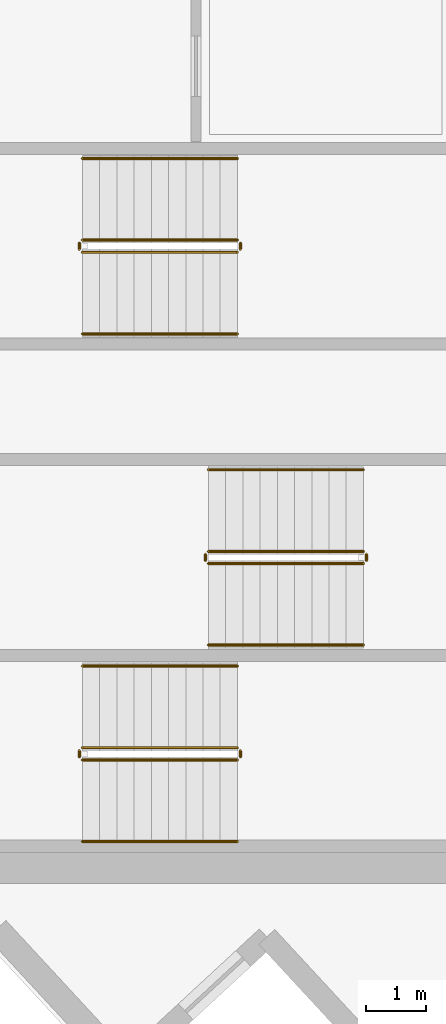
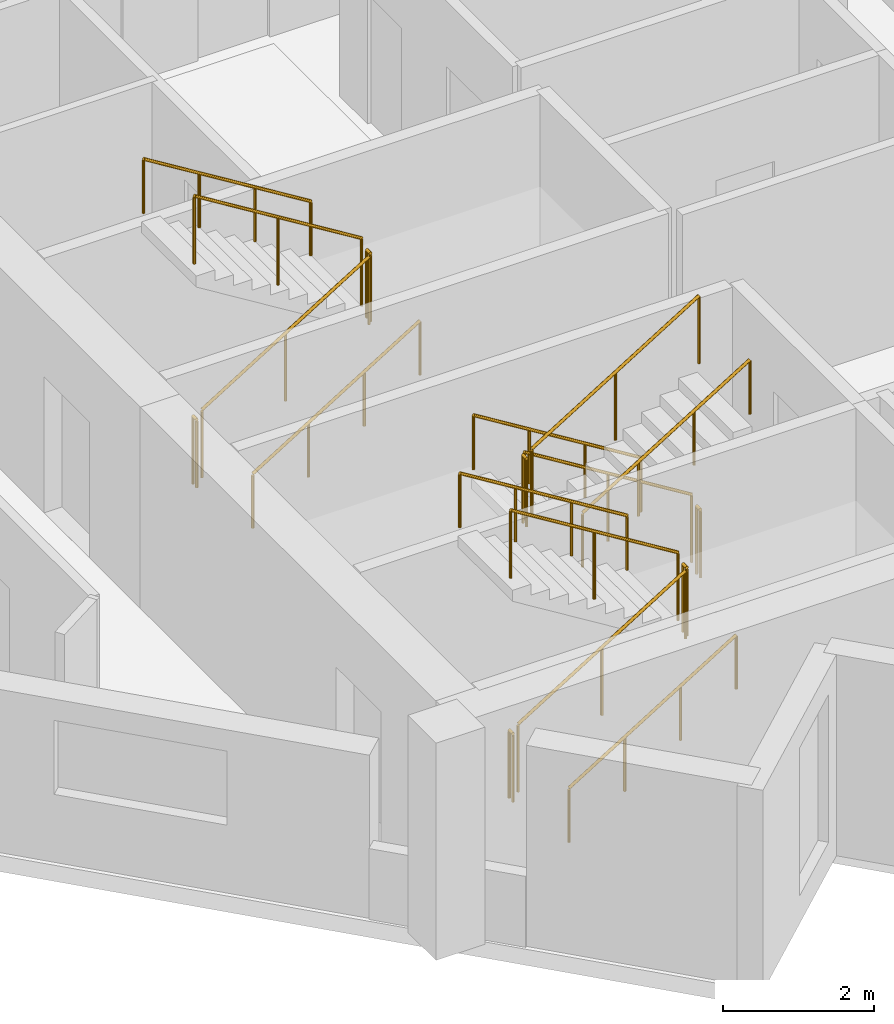
# One storey, part 12 of 13: 18 railings.
"""IFC4 building model written with IfcOpenShell, lengths in metres."""

import ifcopenshell
import ifcopenshell.guid

model = None  # the IFC model being written
_history = None  # IfcOwnerHistory: only IFC2X3 demands one
_inside = {}  # id of a spatial element -> (the spatial element, [elements in it])
_under = {}  # id of a project, library or spatial element -> (it, [spatial elements below it])
_declared = {}  # id of a project -> (the project, [libraries it declares])
_typed = {}  # id of a type object -> (the type object, [elements of that type])
_made_of = {}  # id of a material, layer set ... -> (it, [elements and type objects made of it])


def new_model(schema):
    """Start an empty IFC model of exactly this schema.

    Asked for "IFC4X3", IfcOpenShell would pick the latest addendum, in which some entities
    have other attributes; the version numbers below select the first issue.
    IFC2X3 requires an IfcOwnerHistory on every rooted entity: one is made here for all.
    """
    global model, _history
    if schema == "IFC4X3":
        model = ifcopenshell.file(schema_version=(4, 3, 0, 0))
    else:
        model = ifcopenshell.file(schema=schema)
    _inside.clear()
    _under.clear()
    _declared.clear()
    _typed.clear()
    _made_of.clear()
    _history = None
    if model.schema == "IFC2X3":
        org = make("IfcOrganization", Name="unknown")
        user = make(
            "IfcPersonAndOrganization",
            ThePerson=make("IfcPerson", FamilyName="unknown"),
            TheOrganization=org,
        )
        app = make(
            "IfcApplication",
            ApplicationDeveloper=org,
            Version="unknown",
            ApplicationFullName="unknown",
            ApplicationIdentifier="unknown",
        )
        _history = make(
            "IfcOwnerHistory",
            OwningUser=user,
            OwningApplication=app,
            ChangeAction="ADDED",
            CreationDate=0,
        )
    return model


def make(cls, **values):
    """One entity of the class cls with the attributes given. An attribute that is None is left unset."""
    return model.create_entity(
        cls, **{name: value for name, value in values.items() if value is not None}
    )


def rooted(cls, **values):
    """An entity with a GlobalId (a new one), such as an element, a storey or a relation."""
    return make(cls, GlobalId=ifcopenshell.guid.new(), OwnerHistory=_history, **values)


def si_unit(unit_type, name, prefix=None):
    """IfcSIUnit, for example si_unit("LENGTHUNIT", "METRE", prefix="MILLI")."""
    return make("IfcSIUnit", UnitType=unit_type, Prefix=prefix, Name=name)


def assignment(units):
    """IfcUnitAssignment: the units of a project."""
    return None if units is None else make("IfcUnitAssignment", Units=units)


def point(xyz):
    """IfcCartesianPoint."""
    return None if xyz is None else make("IfcCartesianPoint", Coordinates=xyz)


def direction(xyz):
    """IfcDirection."""
    return None if xyz is None else make("IfcDirection", DirectionRatios=xyz)


def frame(location, z_axis=None, x_axis=None):
    """IfcAxis2Placement3D, a coordinate frame: its origin and axes. An axis left out is left unset."""
    return make(
        "IfcAxis2Placement3D",
        Location=point(location),
        Axis=direction(z_axis),
        RefDirection=direction(x_axis),
    )


def frame_2d(location, x_axis=None):
    """IfcAxis2Placement2D, a coordinate frame in the plane: its origin and x axis."""
    return make(
        "IfcAxis2Placement2D", Location=point(location), RefDirection=direction(x_axis)
    )


def origin():
    """The frame at (0, 0, 0) with its axes left unset."""
    return frame((0.0, 0.0, 0.0))


def origin_2d():
    """The frame at (0, 0) in the plane with its x axis left unset."""
    return frame_2d((0.0, 0.0))


def place(relative_to, where):
    """IfcLocalPlacement: puts the frame where relative to a parent placement (None: the world)."""
    return make(
        "IfcLocalPlacement", PlacementRelTo=relative_to, RelativePlacement=where
    )


def context(
    kind, dimensions, precision=None, world=None, true_north=None, identifier=None
):
    """IfcGeometricRepresentationContext, for example the 3D "Model" context."""
    return make(
        "IfcGeometricRepresentationContext",
        ContextIdentifier=identifier,
        ContextType=kind,
        CoordinateSpaceDimension=dimensions,
        Precision=precision,
        WorldCoordinateSystem=world,
        TrueNorth=true_north,
    )


def subcontext(parent, identifier, kind, view, scale=None):
    """IfcGeometricRepresentationSubContext, for example "Body" below "Model"."""
    return make(
        "IfcGeometricRepresentationSubContext",
        ContextIdentifier=identifier,
        ContextType=kind,
        ParentContext=parent,
        TargetScale=scale,
        TargetView=view,
    )


def project(units=None, contexts=None):
    """IfcProject with its units and contexts."""
    return rooted(
        "IfcProject",
        Name="project",
        RepresentationContexts=contexts,
        UnitsInContext=assignment(units),
    )


def spatial(cls, under=None, at=None, **own):
    """A site, building, storey or space (cls), placed at a placement, below another one or the project."""
    s = rooted(cls, ObjectPlacement=at, **own)
    if under is not None:
        _under.setdefault(under.id(), (under, []))[1].append(s)
    return s


def profile(cls, at=None, kind="AREA", **sizes):
    """A parametric profile (cls). Its sizes go by their IFC names, for example OverallWidth=200.0."""
    return make(cls, ProfileType=kind, Position=at, **sizes)


def circle(**sizes):
    """IfcCircleProfileDef."""
    return profile("IfcCircleProfileDef", **sizes)


def extrude(swept, where, along, depth):
    """IfcExtrudedAreaSolid: the profile swept, set in the frame where, extruded along a direction by depth."""
    return make(
        "IfcExtrudedAreaSolid",
        SweptArea=swept,
        Position=where,
        ExtrudedDirection=direction(along),
        Depth=depth,
    )


def shape(context_of_items, identifier, shape_type, items):
    """IfcShapeRepresentation: the items that make up one representation, for example the "Body"."""
    return make(
        "IfcShapeRepresentation",
        ContextOfItems=context_of_items,
        RepresentationIdentifier=identifier,
        RepresentationType=shape_type,
        Items=items,
    )


def material(Name=None, Category=None):
    """IfcMaterial."""
    return make("IfcMaterial", Name=Name, Category=Category)


def made_of(thing, what):
    """Note that an element or type object is made of a material, layer set ...; save() writes the relation."""
    if what is not None:
        _made_of.setdefault(what.id(), (what, []))[1].append(thing)
    return thing


def type_object(cls, material=None, **own):
    """A type object (cls), such as IfcWallType, which elements share."""
    return made_of(rooted(cls, **own), material)


def element(
    cls,
    number,
    at=None,
    inside=None,
    cuts=None,
    type_object=None,
    material=None,
    context=None,
    identifier="Body",
    shape_type=None,
    held_by="IfcProductDefinitionShape",
    body=None,
    shapes=None,
    **own,
):
    """One element of the class cls, such as IfcWall. Its Tag is "e" and its number.

    at: its placement. inside: the storey or other place that contains it. cuts: it is an
    opening in that element (IfcRelVoidsElement). A single representation is given by context,
    identifier, shape_type and body (its items); several are given by shapes. held_by: the class
    of the entity that holds the representations. save() writes the other relations.
    """
    e = rooted(cls, Tag="e%d" % number, ObjectPlacement=at, **own)
    if body is not None:
        shapes = [shape(context, identifier, shape_type, body)]
    if shapes is not None:
        e.Representation = make(held_by, Representations=shapes)
    if inside is not None:
        _inside.setdefault(inside.id(), (inside, []))[1].append(e)
    if cuts is not None:
        rooted(
            "IfcRelVoidsElement", RelatingBuildingElement=cuts, RelatedOpeningElement=e
        )
    if type_object is not None:
        _typed.setdefault(type_object.id(), (type_object, []))[1].append(e)
    return made_of(e, material)


def aggregate(whole, parts):
    """IfcRelAggregates: a whole, such as a stair, and the parts it consists of."""
    return rooted("IfcRelAggregates", RelatingObject=whole, RelatedObjects=parts)


def save(model, path):
    """Write the relations noted so far, then the file.

    IfcRelAggregates (storeys below a building ...), IfcRelContainedInSpatialStructure (elements
    in a storey), IfcRelDefinesByType, IfcRelAssociatesMaterial and IfcRelDeclares: one each for
    every whole, place, type object, material and project.
    """
    for whole, parts in _under.values():
        aggregate(whole, parts)
    for where, things in _inside.values():
        rooted(
            "IfcRelContainedInSpatialStructure",
            RelatedElements=things,
            RelatingStructure=where,
        )
    for kind, things in _typed.values():
        rooted("IfcRelDefinesByType", RelatedObjects=things, RelatingType=kind)
    for what, things in _made_of.values():
        rooted("IfcRelAssociatesMaterial", RelatedObjects=things, RelatingMaterial=what)
    for by, libraries in _declared.values():
        rooted("IfcRelDeclares", RelatingContext=by, RelatedDefinitions=libraries)
    model.write(path)


model = new_model("IFC4")

# Units and contexts
model_context = context("Model", 3, precision=1e-05, world=origin(), true_north=direction((0.0, 1.0)))
body_context = subcontext(model_context, "Body", "Model", "MODEL_VIEW")
ifc_project = project(units=[si_unit("LENGTHUNIT", "METRE"), si_unit("AREAUNIT", "SQUARE_METRE"), si_unit("VOLUMEUNIT", "CUBIC_METRE"), si_unit("PLANEANGLEUNIT", "RADIAN"), si_unit("MASSUNIT", "GRAM", prefix="KILO")], contexts=[model_context])

# Site, building, storey
site_placement = place(None, origin())
site = spatial("IfcSite", under=ifc_project, at=site_placement, CompositionType="ELEMENT")
building_placement = place(site_placement, origin())
building = spatial("IfcBuilding", under=site, at=building_placement, Name="Narakoshi Arena Tower", CompositionType="ELEMENT")
storey_placement = place(building_placement, frame((0.0, 0.0, 264.260009765625)))
storey = spatial("IfcBuildingStorey", under=building, at=storey_placement, Name="L72", CompositionType="ELEMENT", Elevation=264.260009765625)

# Railings
ifc_material_1 = material(Name="Clear low-iron laminated structural glass", Category="glass")
railing_type_1 = type_object("IfcRailingType", Name="RL-BAL-1100", PredefinedType="BALUSTRADE", material=ifc_material_1)
railing_1_placement = place(storey_placement, frame((74.39990234375, 36.949951171875, 0.176025390625)))
element("IfcRailing", 1, at=railing_1_placement, inside=storey, type_object=railing_type_1, Name="L72 ST1 stair guard 1", PredefinedType="BALUSTRADE", context=body_context, shape_type="SweptSolid", body=[
    extrude(circle(Radius=0.02392578125, at=origin_2d()), frame((0.0, 0.0, 1.09619140625), z_axis=(0.850856559306, 0.0, 0.525398054323), x_axis=(0.0, 1.0, 0.0)), (0.0, 0.0, 1.0), 3.014892578125),
    extrude(circle(Radius=0.02099609375, at=origin_2d()), origin(), (0.0, 0.0, 1.0), 1.072021484375),
    extrude(circle(Radius=0.02099609375, at=origin_2d()), frame((1.28271484375, 0.0, 0.7919921875)), (0.0, 0.0, 1.0), 1.072021484375),
    extrude(circle(Radius=0.02099609375, at=origin_2d()), frame((2.565185546875, 0.0, 1.583984375)), (0.0, 0.0, 1.0), 1.072021484375),
])
railing_2_placement = place(storey_placement, frame((77.014892578125, 37.0, 1.760009765625)))
element("IfcRailing", 2, at=railing_2_placement, inside=storey, type_object=railing_type_1, Name="L72 ST1 stair guard 2", PredefinedType="BALUSTRADE", context=body_context, shape_type="SweptSolid", body=[
    extrude(circle(Radius=0.02392578125, at=origin_2d()), frame((0.0, 0.0, 1.09619140625), z_axis=(0.0, 1.0, 0.0), x_axis=(-1.0, 0.0, 0.0)), (0.0, 0.0, 1.0), 0.10009765625),
    extrude(circle(Radius=0.02099609375, at=origin_2d()), origin(), (0.0, 0.0, 1.0), 1.072021484375),
    extrude(circle(Radius=0.02099609375, at=origin_2d()), frame((0.0, 0.10009765625, 0.0)), (0.0, 0.0, 1.0), 1.072021484375),
])
railing_3_placement = place(storey_placement, frame((76.965087890625, 37.14990234375, 1.93603515625)))
element("IfcRailing", 3, at=railing_3_placement, inside=storey, type_object=railing_type_1, Name="L72 ST1 stair guard 3", PredefinedType="BALUSTRADE", context=body_context, shape_type="SweptSolid", body=[
    extrude(circle(Radius=0.02392578125, at=origin_2d()), frame((0.0, 0.0, 1.09619140625), z_axis=(-0.850856559306, 0.0, 0.525398054323), x_axis=(0.0, -1.0, 0.0)), (0.0, 0.0, 1.0), 3.014892578125),
    extrude(circle(Radius=0.02099609375, at=origin_2d()), origin(), (0.0, 0.0, 1.0), 1.072021484375),
    extrude(circle(Radius=0.02099609375, at=origin_2d()), frame((-1.28271484375, 0.0, 0.7919921875)), (0.0, 0.0, 1.0), 1.072021484375),
    extrude(circle(Radius=0.02099609375, at=origin_2d()), frame((-2.565185546875, 0.0, 1.583984375)), (0.0, 0.0, 1.0), 1.072021484375),
])
railing_4_placement = place(storey_placement, frame((74.35009765625, 37.0, 0.0)))
element("IfcRailing", 4, at=railing_4_placement, inside=storey, type_object=railing_type_1, Name="L72 ST1 stair guard 4", PredefinedType="BALUSTRADE", context=body_context, shape_type="SweptSolid", body=[
    extrude(circle(Radius=0.02392578125, at=origin_2d()), frame((0.0, 0.0, 1.09619140625), z_axis=(0.0, 1.0, 0.0), x_axis=(-1.0, 0.0, 0.0)), (0.0, 0.0, 1.0), 0.10009765625),
    extrude(circle(Radius=0.02099609375, at=origin_2d()), origin(), (0.0, 0.0, 1.0), 1.072021484375),
    extrude(circle(Radius=0.02099609375, at=origin_2d()), frame((0.0, 0.10009765625, 0.0)), (0.0, 0.0, 1.0), 1.072021484375),
])
railing_5_placement = place(storey_placement, frame((79.050048828125, 40.39990234375, 0.176025390625)))
element("IfcRailing", 5, at=railing_5_placement, inside=storey, type_object=railing_type_1, Name="L72 ST2 stair guard 1", PredefinedType="BALUSTRADE", context=body_context, shape_type="SweptSolid", body=[
    extrude(circle(Radius=0.02392578125, at=origin_2d()), frame((0.0, 0.0, 1.09619140625), z_axis=(-0.850834203031, 0.0, 0.525434257497), x_axis=(0.0, -1.0, 0.0)), (0.0, 0.0, 1.0), 3.0146484375),
    extrude(circle(Radius=0.02099609375, at=origin_2d()), origin(), (0.0, 0.0, 1.0), 1.072021484375),
    extrude(circle(Radius=0.02099609375, at=origin_2d()), frame((-1.282470703125, 0.0, 0.7919921875)), (0.0, 0.0, 1.0), 1.072021484375),
    extrude(circle(Radius=0.02099609375, at=origin_2d()), frame((-2.56494140625, 0.0, 1.583984375)), (0.0, 0.0, 1.0), 1.072021484375),
])
railing_6_placement = place(storey_placement, frame((76.43505859375, 40.35009765625, 1.760009765625)))
element("IfcRailing", 6, at=railing_6_placement, inside=storey, type_object=railing_type_1, Name="L72 ST2 stair guard 2", PredefinedType="BALUSTRADE", context=body_context, shape_type="SweptSolid", body=[
    extrude(circle(Radius=0.02392578125, at=origin_2d()), frame((0.0, 0.0, 1.09619140625), z_axis=(0.0, -1.0, 0.0), x_axis=(1.0, 0.0, 0.0)), (0.0, 0.0, 1.0), 0.10009765625),
    extrude(circle(Radius=0.02099609375, at=origin_2d()), origin(), (0.0, 0.0, 1.0), 1.072021484375),
    extrude(circle(Radius=0.02099609375, at=origin_2d()), frame((0.0, -0.10009765625, 0.0)), (0.0, 0.0, 1.0), 1.072021484375),
])
railing_7_placement = place(storey_placement, frame((76.485107421875, 40.199951171875, 1.93603515625)))
element("IfcRailing", 7, at=railing_7_placement, inside=storey, type_object=railing_type_1, Name="L72 ST2 stair guard 3", PredefinedType="BALUSTRADE", context=body_context, shape_type="SweptSolid", body=[
    extrude(circle(Radius=0.02392578125, at=origin_2d()), frame((0.0, 0.0, 1.09619140625), z_axis=(0.850834203031, 0.0, 0.525434257497), x_axis=(0.0, 1.0, 0.0)), (0.0, 0.0, 1.0), 3.0146484375),
    extrude(circle(Radius=0.02099609375, at=origin_2d()), origin(), (0.0, 0.0, 1.0), 1.072021484375),
    extrude(circle(Radius=0.02099609375, at=origin_2d()), frame((1.282470703125, 0.0, 0.7919921875)), (0.0, 0.0, 1.0), 1.072021484375),
    extrude(circle(Radius=0.02099609375, at=origin_2d()), frame((2.56494140625, 0.0, 1.583984375)), (0.0, 0.0, 1.0), 1.072021484375),
])
railing_8_placement = place(storey_placement, frame((79.10009765625, 40.35009765625, 0.0)))
element("IfcRailing", 8, at=railing_8_placement, inside=storey, type_object=railing_type_1, Name="L72 ST2 stair guard 4", PredefinedType="BALUSTRADE", context=body_context, shape_type="SweptSolid", body=[
    extrude(circle(Radius=0.02392578125, at=origin_2d()), frame((0.0, 0.0, 1.09619140625), z_axis=(0.0, -1.0, 0.0), x_axis=(1.0, 0.0, 0.0)), (0.0, 0.0, 1.0), 0.10009765625),
    extrude(circle(Radius=0.02099609375, at=origin_2d()), origin(), (0.0, 0.0, 1.0), 1.072021484375),
    extrude(circle(Radius=0.02099609375, at=origin_2d()), frame((0.0, -0.10009765625, 0.0)), (0.0, 0.0, 1.0), 1.072021484375),
])
railing_9_placement = place(storey_placement, frame((74.39990234375, 45.35009765625, 0.176025390625)))
element("IfcRailing", 9, at=railing_9_placement, inside=storey, type_object=railing_type_1, Name="L72 ST3 stair guard 1", PredefinedType="BALUSTRADE", context=body_context, shape_type="SweptSolid", body=[
    extrude(circle(Radius=0.02392578125, at=origin_2d()), frame((0.0, 0.0, 1.09619140625), z_axis=(0.850856559306, 0.0, 0.525398054323), x_axis=(0.0, 1.0, 0.0)), (0.0, 0.0, 1.0), 3.014892578125),
    extrude(circle(Radius=0.02099609375, at=origin_2d()), origin(), (0.0, 0.0, 1.0), 1.072021484375),
    extrude(circle(Radius=0.02099609375, at=origin_2d()), frame((1.28271484375, 0.0, 0.7919921875)), (0.0, 0.0, 1.0), 1.072021484375),
    extrude(circle(Radius=0.02099609375, at=origin_2d()), frame((2.565185546875, 0.0, 1.583984375)), (0.0, 0.0, 1.0), 1.072021484375),
])
railing_10_placement = place(storey_placement, frame((77.014892578125, 45.39990234375, 1.760009765625)))
element("IfcRailing", 10, at=railing_10_placement, inside=storey, type_object=railing_type_1, Name="L72 ST3 stair guard 2", PredefinedType="BALUSTRADE", context=body_context, shape_type="SweptSolid", body=[
    extrude(circle(Radius=0.02392578125, at=origin_2d()), frame((0.0, 0.0, 1.09619140625), z_axis=(0.0, 1.0, 0.0), x_axis=(-1.0, 0.0, 0.0)), (0.0, 0.0, 1.0), 0.10009765625),
    extrude(circle(Radius=0.02099609375, at=origin_2d()), origin(), (0.0, 0.0, 1.0), 1.072021484375),
    extrude(circle(Radius=0.02099609375, at=origin_2d()), frame((0.0, 0.10009765625, 0.0)), (0.0, 0.0, 1.0), 1.072021484375),
])
railing_11_placement = place(storey_placement, frame((76.965087890625, 45.550048828125, 1.93603515625)))
element("IfcRailing", 11, at=railing_11_placement, inside=storey, type_object=railing_type_1, Name="L72 ST3 stair guard 3", PredefinedType="BALUSTRADE", context=body_context, shape_type="SweptSolid", body=[
    extrude(circle(Radius=0.02392578125, at=origin_2d()), frame((0.0, 0.0, 1.09619140625), z_axis=(-0.850856559306, 0.0, 0.525398054323), x_axis=(0.0, -1.0, 0.0)), (0.0, 0.0, 1.0), 3.014892578125),
    extrude(circle(Radius=0.02099609375, at=origin_2d()), origin(), (0.0, 0.0, 1.0), 1.072021484375),
    extrude(circle(Radius=0.02099609375, at=origin_2d()), frame((-1.28271484375, 0.0, 0.7919921875)), (0.0, 0.0, 1.0), 1.072021484375),
    extrude(circle(Radius=0.02099609375, at=origin_2d()), frame((-2.565185546875, 0.0, 1.583984375)), (0.0, 0.0, 1.0), 1.072021484375),
])
railing_12_placement = place(storey_placement, frame((74.35009765625, 45.39990234375, 0.0)))
element("IfcRailing", 12, at=railing_12_placement, inside=storey, type_object=railing_type_1, Name="L72 ST3 stair guard 4", PredefinedType="BALUSTRADE", context=body_context, shape_type="SweptSolid", body=[
    extrude(circle(Radius=0.02392578125, at=origin_2d()), frame((0.0, 0.0, 1.09619140625), z_axis=(0.0, 1.0, 0.0), x_axis=(-1.0, 0.0, 0.0)), (0.0, 0.0, 1.0), 0.10009765625),
    extrude(circle(Radius=0.02099609375, at=origin_2d()), origin(), (0.0, 0.0, 1.0), 1.072021484375),
    extrude(circle(Radius=0.02099609375, at=origin_2d()), frame((0.0, 0.10009765625, 0.0)), (0.0, 0.0, 1.0), 1.072021484375),
])
ifc_material_2 = material(Name="Brushed bronze stainless steel", Category="steel")
railing_type_2 = type_object("IfcRailingType", Name="RL-HND-900", PredefinedType="HANDRAIL", material=ifc_material_2)
railing_13_placement = place(storey_placement, frame((74.39990234375, 35.60009765625, 0.176025390625)))
element("IfcRailing", 13, at=railing_13_placement, inside=storey, type_object=railing_type_2, Name="L72 ST1 stair handrail 1", PredefinedType="HANDRAIL", context=body_context, shape_type="SweptSolid", body=[
    extrude(circle(Radius=0.02392578125, at=origin_2d()), frame((0.0, 0.0, 0.8759765625), z_axis=(0.850856559306, 0.0, 0.525398054323), x_axis=(0.0, 1.0, 0.0)), (0.0, 0.0, 1.0), 3.014892578125),
    extrude(circle(Radius=0.02099609375, at=origin_2d()), origin(), (0.0, 0.0, 1.0), 0.851806640625),
    extrude(circle(Radius=0.02099609375, at=origin_2d()), frame((0.85498046875, 0.0, 0.528076171875)), (0.0, 0.0, 1.0), 0.851806640625),
    extrude(circle(Radius=0.02099609375, at=origin_2d()), frame((1.710205078125, 0.0, 1.055908203125)), (0.0, 0.0, 1.0), 0.851806640625),
    extrude(circle(Radius=0.02099609375, at=origin_2d()), frame((2.565185546875, 0.0, 1.583984375)), (0.0, 0.0, 1.0), 0.851806640625),
])
railing_14_placement = place(storey_placement, frame((76.965087890625, 38.5, 1.93603515625)))
element("IfcRailing", 14, at=railing_14_placement, inside=storey, type_object=railing_type_2, Name="L72 ST1 stair handrail 2", PredefinedType="HANDRAIL", context=body_context, shape_type="SweptSolid", body=[
    extrude(circle(Radius=0.02392578125, at=origin_2d()), frame((0.0, 0.0, 0.8759765625), z_axis=(-0.850856559306, 0.0, 0.525398054323), x_axis=(0.0, -1.0, 0.0)), (0.0, 0.0, 1.0), 3.014892578125),
    extrude(circle(Radius=0.02099609375, at=origin_2d()), origin(), (0.0, 0.0, 1.0), 0.851806640625),
    extrude(circle(Radius=0.02099609375, at=origin_2d()), frame((-0.85498046875, 0.0, 0.528076171875)), (0.0, 0.0, 1.0), 0.851806640625),
    extrude(circle(Radius=0.02099609375, at=origin_2d()), frame((-1.710205078125, 0.0, 1.055908203125)), (0.0, 0.0, 1.0), 0.851806640625),
    extrude(circle(Radius=0.02099609375, at=origin_2d()), frame((-2.565185546875, 0.0, 1.583984375)), (0.0, 0.0, 1.0), 0.851806640625),
])
railing_15_placement = place(storey_placement, frame((79.050048828125, 41.75, 0.176025390625)))
element("IfcRailing", 15, at=railing_15_placement, inside=storey, type_object=railing_type_2, Name="L72 ST2 stair handrail 1", PredefinedType="HANDRAIL", context=body_context, shape_type="SweptSolid", body=[
    extrude(circle(Radius=0.02392578125, at=origin_2d()), frame((0.0, 0.0, 0.8759765625), z_axis=(-0.850834203031, 0.0, 0.525434257497), x_axis=(0.0, -1.0, 0.0)), (0.0, 0.0, 1.0), 3.0146484375),
    extrude(circle(Radius=0.02099609375, at=origin_2d()), origin(), (0.0, 0.0, 1.0), 0.851806640625),
    extrude(circle(Radius=0.02099609375, at=origin_2d()), frame((-0.85498046875, 0.0, 0.528076171875)), (0.0, 0.0, 1.0), 0.851806640625),
    extrude(circle(Radius=0.02099609375, at=origin_2d()), frame((-1.7099609375, 0.0, 1.055908203125)), (0.0, 0.0, 1.0), 0.851806640625),
    extrude(circle(Radius=0.02099609375, at=origin_2d()), frame((-2.56494140625, 0.0, 1.583984375)), (0.0, 0.0, 1.0), 0.851806640625),
])
railing_16_placement = place(storey_placement, frame((76.485107421875, 38.85009765625, 1.93603515625)))
element("IfcRailing", 16, at=railing_16_placement, inside=storey, type_object=railing_type_2, Name="L72 ST2 stair handrail 2", PredefinedType="HANDRAIL", context=body_context, shape_type="SweptSolid", body=[
    extrude(circle(Radius=0.02392578125, at=origin_2d()), frame((0.0, 0.0, 0.8759765625), z_axis=(0.850834203031, 0.0, 0.525434257497), x_axis=(0.0, 1.0, 0.0)), (0.0, 0.0, 1.0), 3.0146484375),
    extrude(circle(Radius=0.02099609375, at=origin_2d()), origin(), (0.0, 0.0, 1.0), 0.851806640625),
    extrude(circle(Radius=0.02099609375, at=origin_2d()), frame((0.85498046875, 0.0, 0.528076171875)), (0.0, 0.0, 1.0), 0.851806640625),
    extrude(circle(Radius=0.02099609375, at=origin_2d()), frame((1.7099609375, 0.0, 1.055908203125)), (0.0, 0.0, 1.0), 0.851806640625),
    extrude(circle(Radius=0.02099609375, at=origin_2d()), frame((2.56494140625, 0.0, 1.583984375)), (0.0, 0.0, 1.0), 0.851806640625),
])
railing_17_placement = place(storey_placement, frame((74.39990234375, 44.0, 0.176025390625)))
element("IfcRailing", 17, at=railing_17_placement, inside=storey, type_object=railing_type_2, Name="L72 ST3 stair handrail 1", PredefinedType="HANDRAIL", context=body_context, shape_type="SweptSolid", body=[
    extrude(circle(Radius=0.02392578125, at=origin_2d()), frame((0.0, 0.0, 0.8759765625), z_axis=(0.850856559306, 0.0, 0.525398054323), x_axis=(0.0, 1.0, 0.0)), (0.0, 0.0, 1.0), 3.014892578125),
    extrude(circle(Radius=0.02099609375, at=origin_2d()), origin(), (0.0, 0.0, 1.0), 0.851806640625),
    extrude(circle(Radius=0.02099609375, at=origin_2d()), frame((0.85498046875, 0.0, 0.528076171875)), (0.0, 0.0, 1.0), 0.851806640625),
    extrude(circle(Radius=0.02099609375, at=origin_2d()), frame((1.710205078125, 0.0, 1.055908203125)), (0.0, 0.0, 1.0), 0.851806640625),
    extrude(circle(Radius=0.02099609375, at=origin_2d()), frame((2.565185546875, 0.0, 1.583984375)), (0.0, 0.0, 1.0), 0.851806640625),
])
railing_18_placement = place(storey_placement, frame((76.965087890625, 46.89990234375, 1.93603515625)))
element("IfcRailing", 18, at=railing_18_placement, inside=storey, type_object=railing_type_2, Name="L72 ST3 stair handrail 2", PredefinedType="HANDRAIL", context=body_context, shape_type="SweptSolid", body=[
    extrude(circle(Radius=0.02392578125, at=origin_2d()), frame((0.0, 0.0, 0.8759765625), z_axis=(-0.850856559306, 0.0, 0.525398054323), x_axis=(0.0, -1.0, 0.0)), (0.0, 0.0, 1.0), 3.014892578125),
    extrude(circle(Radius=0.02099609375, at=origin_2d()), origin(), (0.0, 0.0, 1.0), 0.851806640625),
    extrude(circle(Radius=0.02099609375, at=origin_2d()), frame((-0.85498046875, 0.0, 0.528076171875)), (0.0, 0.0, 1.0), 0.851806640625),
    extrude(circle(Radius=0.02099609375, at=origin_2d()), frame((-1.710205078125, 0.0, 1.055908203125)), (0.0, 0.0, 1.0), 0.851806640625),
    extrude(circle(Radius=0.02099609375, at=origin_2d()), frame((-2.565185546875, 0.0, 1.583984375)), (0.0, 0.0, 1.0), 0.851806640625),
])

save(model, "model.ifc")
